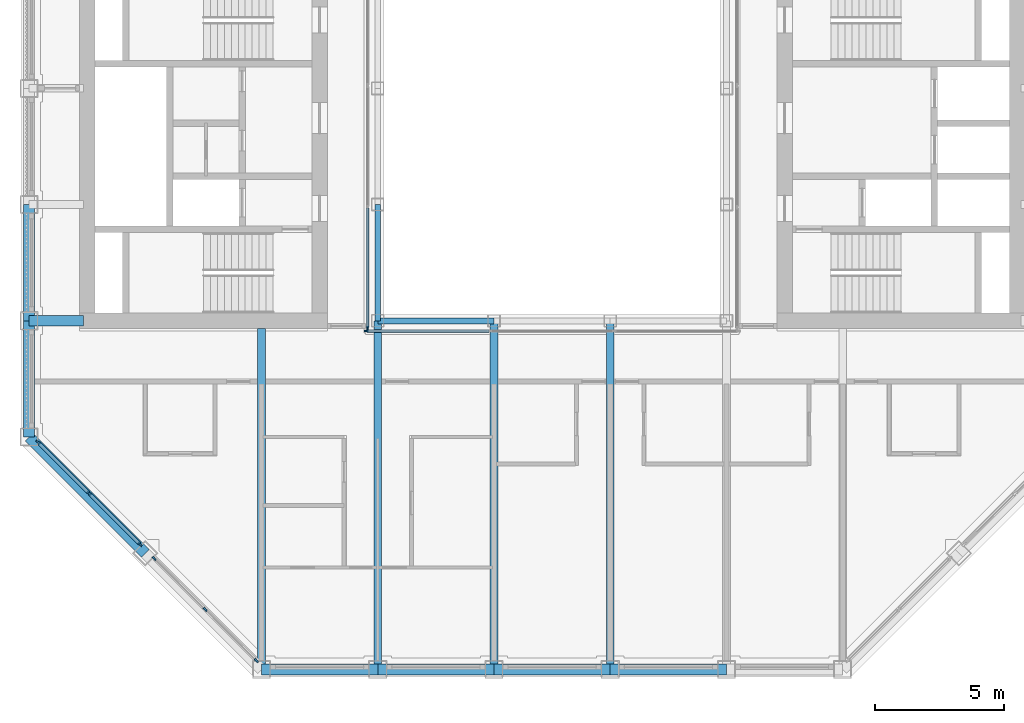
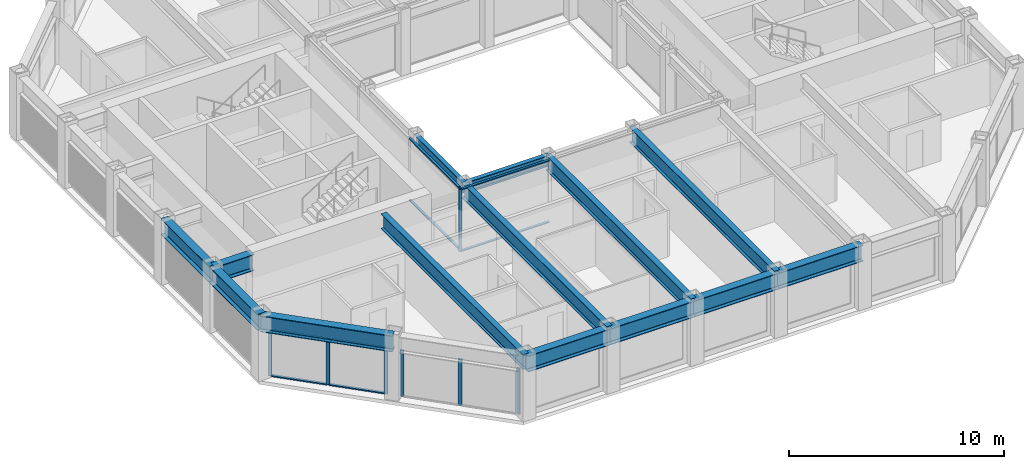
# One storey, part 2 of 18: 16 members, 14 beams, 4 elements without a shape of their own.
"""IFC4 building model written with IfcOpenShell, lengths in metres."""

from ifc_helpers import new_model, si_unit, direction, frame, origin, origin_2d, place, context, subcontext, project, spatial, rectangle, i_section, extrude, material, material_profile, profile_set, type_object, element, aggregate, save


model = new_model("IFC4")

# Units and contexts
model_context = context("Model", 3, precision=1e-05, world=origin(), true_north=direction((0.0, 1.0)))
body_context = subcontext(model_context, "Body", "Model", "MODEL_VIEW")
ifc_project = project(units=[si_unit("LENGTHUNIT", "METRE"), si_unit("AREAUNIT", "SQUARE_METRE"), si_unit("VOLUMEUNIT", "CUBIC_METRE"), si_unit("PLANEANGLEUNIT", "RADIAN"), si_unit("MASSUNIT", "GRAM", prefix="KILO")], contexts=[model_context])

# Site, building, storey
site_placement = place(None, origin())
site = spatial("IfcSite", under=ifc_project, at=site_placement, CompositionType="ELEMENT")
building_placement = place(site_placement, origin())
building = spatial("IfcBuilding", under=site, at=building_placement, Name="Msasa Ring Tower", CompositionType="ELEMENT")
storey_placement = place(building_placement, frame((0.0, 0.0, 230.800048828125)))
storey = spatial("IfcBuildingStorey", under=building, at=storey_placement, Name="L60", CompositionType="ELEMENT", Elevation=230.800048828125)

# Curtain wall, members
ifc_material_1 = material(Name="Aluminium curtain wall with clear glass", Category="aluminium")
curtain_wall_type_1 = type_object("IfcCurtainWallType", Name="CW-C CHAMFER CORNER CURTAIN WALL", PredefinedType="NOTDEFINED", material=ifc_material_1)
curtain_wall_1_placement = place(storey_placement, origin())
curtain_wall_1 = element("IfcCurtainWall", 1, at=curtain_wall_1_placement, inside=storey, type_object=curtain_wall_type_1, Name="Chamfer corner curtain wall SW L60", PredefinedType="NOTDEFINED")
ifc_material_2 = material(Name="Aluminium mullion", Category="aluminium")
ifc_material_profile_1 = material_profile(ifc_material_2, rectangle(XDim=0.06494140625, YDim=0.179931640625, at=origin_2d()), Name="AL 65x180")
ifc_profile_set_1 = profile_set([ifc_material_profile_1], Name="Aluminium mullion")
member_type_1 = type_object("IfcMemberType", Name="CW-C MULLION 65x180", PredefinedType="MULLION", material=ifc_profile_set_1)
member_1_placement = place(storey_placement, frame((-19.9052734375, -11.453369140625, 0.0), z_axis=(0.0, 0.0, 1.0), x_axis=(0.707106781187, 0.707106781187, 0.0)))
member_1 = element("IfcMember", 2, at=member_1_placement, type_object=member_type_1, Name="CW-C mullion 1", PredefinedType="MULLION", context=body_context, shape_type="SweptSolid", body=[
    extrude(rectangle(XDim=0.06494140625, YDim=0.179931640625, at=origin_2d()), origin(), (0.0, 0.0, 1.0), 2.62890625),
])
member_2_placement = place(storey_placement, frame((-17.92919921875, -13.42919921875, 0.0), z_axis=(0.0, 0.0, 1.0), x_axis=(0.707106781187, 0.707106781187, 0.0)))
member_2 = element("IfcMember", 3, at=member_2_placement, type_object=member_type_1, Name="CW-C mullion 2", PredefinedType="MULLION", context=body_context, shape_type="SweptSolid", body=[
    extrude(rectangle(XDim=0.06494140625, YDim=0.179931640625, at=origin_2d()), origin(), (0.0, 0.0, 1.0), 2.62890625),
])
member_3_placement = place(storey_placement, frame((-15.953369140625, -15.4052734375, 0.0), z_axis=(0.0, 0.0, 1.0), x_axis=(0.707106781187, 0.707106781187, 0.0)))
member_3 = element("IfcMember", 4, at=member_3_placement, type_object=member_type_1, Name="CW-C mullion 3", PredefinedType="MULLION", context=body_context, shape_type="SweptSolid", body=[
    extrude(rectangle(XDim=0.06494140625, YDim=0.179931640625, at=origin_2d()), origin(), (0.0, 0.0, 1.0), 2.62890625),
])

curtain_wall_2_placement = place(storey_placement, origin())
curtain_wall_2 = element("IfcCurtainWall", 5, at=curtain_wall_2_placement, inside=storey, type_object=curtain_wall_type_1, Name="Chamfer corner curtain wall SW L60", PredefinedType="NOTDEFINED")
member_4_placement = place(storey_placement, frame((-15.4052734375, -15.953369140625, 0.0), z_axis=(0.0, 0.0, 1.0), x_axis=(0.707106781187, 0.707106781187, 0.0)))
member_4 = element("IfcMember", 6, at=member_4_placement, type_object=member_type_1, Name="CW-C mullion 1", PredefinedType="MULLION", context=body_context, shape_type="SweptSolid", body=[
    extrude(rectangle(XDim=0.06494140625, YDim=0.179931640625, at=origin_2d()), origin(), (0.0, 0.0, 1.0), 2.62890625),
])
member_5_placement = place(storey_placement, frame((-13.42919921875, -17.92919921875, 0.0), z_axis=(0.0, 0.0, 1.0), x_axis=(0.707106781187, 0.707106781187, 0.0)))
member_5 = element("IfcMember", 7, at=member_5_placement, type_object=member_type_1, Name="CW-C mullion 2", PredefinedType="MULLION", context=body_context, shape_type="SweptSolid", body=[
    extrude(rectangle(XDim=0.06494140625, YDim=0.179931640625, at=origin_2d()), origin(), (0.0, 0.0, 1.0), 2.62890625),
])
member_6_placement = place(storey_placement, frame((-11.453369140625, -19.9052734375, 0.0), z_axis=(0.0, 0.0, 1.0), x_axis=(0.707106781187, 0.707106781187, 0.0)))
member_6 = element("IfcMember", 8, at=member_6_placement, type_object=member_type_1, Name="CW-C mullion 3", PredefinedType="MULLION", context=body_context, shape_type="SweptSolid", body=[
    extrude(rectangle(XDim=0.06494140625, YDim=0.179931640625, at=origin_2d()), origin(), (0.0, 0.0, 1.0), 2.62890625),
])
aggregate(curtain_wall_2, [member_4, member_5, member_6])

# Member
ifc_material_3 = material(Name="Aluminium transom", Category="aluminium")
ifc_material_profile_2 = material_profile(ifc_material_3, rectangle(XDim=0.139892578125, YDim=0.06494140625, at=origin_2d()), Name="AL 65x140")
ifc_profile_set_2 = profile_set([ifc_material_profile_2], Name="Aluminium transom")
member_type_2 = type_object("IfcMemberType", Name="CW-C TRANSOM 65x140", PredefinedType="USERDEFINED", material=ifc_profile_set_2)
member_7_placement = place(storey_placement, frame((-19.88232421875, -11.476318359375, 0.032470703125), z_axis=(0.707106781187, -0.707106781187, 0.0), x_axis=(0.707106781187, 0.707106781187, 0.0)))
member_7 = element("IfcMember", 9, at=member_7_placement, type_object=member_type_2, Name="CW-C transom 1.1", ObjectType="TRANSOM", PredefinedType="USERDEFINED", context=body_context, shape_type="SweptSolid", body=[
    extrude(rectangle(XDim=0.139892578125, YDim=0.06494140625, at=origin_2d()), origin(), (0.0, 0.0, 1.0), 2.729248046875),
])

member_8_placement = place(storey_placement, frame((-19.88232421875, -11.476318359375, 2.596435546875), z_axis=(0.707106781187, -0.707106781187, 0.0), x_axis=(0.707106781187, 0.707106781187, 0.0)))
member_8 = element("IfcMember", 10, at=member_8_placement, type_object=member_type_2, Name="CW-C transom 1.2", ObjectType="TRANSOM", PredefinedType="USERDEFINED", context=body_context, shape_type="SweptSolid", body=[
    extrude(rectangle(XDim=0.139892578125, YDim=0.06494140625, at=origin_2d()), origin(), (0.0, 0.0, 1.0), 2.729248046875),
])

member_9_placement = place(storey_placement, frame((-17.90625, -13.452392578125, 0.032470703125), z_axis=(0.707106781187, -0.707106781187, 0.0), x_axis=(0.707106781187, 0.707106781187, 0.0)))
member_9 = element("IfcMember", 11, at=member_9_placement, type_object=member_type_2, Name="CW-C transom 2.1", ObjectType="TRANSOM", PredefinedType="USERDEFINED", context=body_context, shape_type="SweptSolid", body=[
    extrude(rectangle(XDim=0.139892578125, YDim=0.06494140625, at=origin_2d()), origin(), (0.0, 0.0, 1.0), 2.729248046875),
])

member_10_placement = place(storey_placement, frame((-17.90625, -13.452392578125, 2.596435546875), z_axis=(0.707106781187, -0.707106781187, 0.0), x_axis=(0.707106781187, 0.707106781187, 0.0)))
member_10 = element("IfcMember", 12, at=member_10_placement, type_object=member_type_2, Name="CW-C transom 2.2", ObjectType="TRANSOM", PredefinedType="USERDEFINED", context=body_context, shape_type="SweptSolid", body=[
    extrude(rectangle(XDim=0.139892578125, YDim=0.06494140625, at=origin_2d()), origin(), (0.0, 0.0, 1.0), 2.729248046875),
])

aggregate(curtain_wall_1, [member_1, member_2, member_3, member_7, member_8, member_9, member_10])

# Curtain wall, member
ifc_material_4 = material(Name="Aluminium curtain wall with clear glass", Category="aluminium")
curtain_wall_type_2 = type_object("IfcCurtainWallType", Name="CW-W LIGHT WELL CURTAIN WALL", PredefinedType="NOTDEFINED", material=ifc_material_4)
curtain_wall_3_placement = place(storey_placement, origin())
curtain_wall_3 = element("IfcCurtainWall", 13, at=curtain_wall_3_placement, inside=storey, type_object=curtain_wall_type_2, Name="Light well curtain wall S L60", PredefinedType="NOTDEFINED")
ifc_material_5 = material(Name="Aluminium mullion", Category="aluminium")
ifc_material_profile_3 = material_profile(ifc_material_5, rectangle(XDim=0.06005859375, YDim=0.159912109375, at=origin_2d()), Name="AL 60x160")
ifc_profile_set_3 = profile_set([ifc_material_profile_3], Name="Aluminium mullion")
member_type_3 = type_object("IfcMemberType", Name="CW-W MULLION 60x160", PredefinedType="MULLION", material=ifc_profile_set_3)
member_11_placement = place(storey_placement, frame((-7.199951171875, -7.14990234375, 0.0), z_axis=(0.0, 0.0, 1.0), x_axis=(0.0, 1.0, 0.0)))
member_11 = element("IfcMember", 14, at=member_11_placement, type_object=member_type_3, Name="CW-W mullion 1", PredefinedType="MULLION", context=body_context, shape_type="SweptSolid", body=[
    extrude(rectangle(XDim=0.06005859375, YDim=0.159912109375, at=origin_2d()), origin(), (0.0, 0.0, 1.0), 3.550048828125),
])

curtain_wall_4_placement = place(storey_placement, origin())
curtain_wall_4 = element("IfcCurtainWall", 15, at=curtain_wall_4_placement, inside=storey, type_object=curtain_wall_type_2, Name="Light well curtain wall W L60", PredefinedType="NOTDEFINED")
member_12_placement = place(storey_placement, frame((-7.14990234375, -7.0400390625, 0.0), z_axis=(0.0, 0.0, 1.0), x_axis=(-1.0, 0.0, 0.0)))
member_12 = element("IfcMember", 16, at=member_12_placement, type_object=member_type_3, Name="CW-W mullion 1", PredefinedType="MULLION", context=body_context, shape_type="SweptSolid", body=[
    extrude(rectangle(XDim=0.06005859375, YDim=0.159912109375, at=origin_2d()), origin(), (0.0, 0.0, 1.0), 3.550048828125),
])

# Member
ifc_material_6 = material(Name="Aluminium transom", Category="aluminium")
ifc_material_profile_4 = material_profile(ifc_material_6, rectangle(XDim=0.1201171875, YDim=0.06005859375, at=origin_2d()), Name="AL 60x120")
ifc_profile_set_4 = profile_set([ifc_material_profile_4], Name="Aluminium transom")
member_type_4 = type_object("IfcMemberType", Name="CW-W TRANSOM 60x120", PredefinedType="USERDEFINED", material=ifc_profile_set_4)
member_13_placement = place(storey_placement, frame((-7.169921875, -7.14990234375, 0.030029296875), z_axis=(1.0, 0.0, 0.0), x_axis=(0.0, 1.0, 0.0)))
member_13 = element("IfcMember", 17, at=member_13_placement, type_object=member_type_4, Name="CW-W transom 1.1", ObjectType="TRANSOM", PredefinedType="USERDEFINED", context=body_context, shape_type="SweptSolid", body=[
    extrude(rectangle(XDim=0.1201171875, YDim=0.06005859375, at=origin_2d()), origin(), (0.0, 0.0, 1.0), 4.72998046875),
])

member_14_placement = place(storey_placement, frame((-7.169921875, -7.14990234375, 3.52001953125), z_axis=(1.0, 0.0, 0.0), x_axis=(0.0, 1.0, 0.0)))
member_14 = element("IfcMember", 18, at=member_14_placement, type_object=member_type_4, Name="CW-W transom 1.2", ObjectType="TRANSOM", PredefinedType="USERDEFINED", context=body_context, shape_type="SweptSolid", body=[
    extrude(rectangle(XDim=0.1201171875, YDim=0.06005859375, at=origin_2d()), origin(), (0.0, 0.0, 1.0), 4.72998046875),
])

aggregate(curtain_wall_3, [member_11, member_13, member_14])

member_15_placement = place(storey_placement, frame((-7.14990234375, -7.010009765625, 0.030029296875), z_axis=(0.0, 1.0, 0.0), x_axis=(-1.0, 0.0, 0.0)))
member_15 = element("IfcMember", 19, at=member_15_placement, type_object=member_type_4, Name="CW-W transom 1.1", ObjectType="TRANSOM", PredefinedType="USERDEFINED", context=body_context, shape_type="SweptSolid", body=[
    extrude(rectangle(XDim=0.1201171875, YDim=0.06005859375, at=origin_2d()), origin(), (0.0, 0.0, 1.0), 4.623291015625),
])

member_16_placement = place(storey_placement, frame((-7.14990234375, -7.010009765625, 3.52001953125), z_axis=(0.0, 1.0, 0.0), x_axis=(-1.0, 0.0, 0.0)))
member_16 = element("IfcMember", 20, at=member_16_placement, type_object=member_type_4, Name="CW-W transom 1.2", ObjectType="TRANSOM", PredefinedType="USERDEFINED", context=body_context, shape_type="SweptSolid", body=[
    extrude(rectangle(XDim=0.1201171875, YDim=0.06005859375, at=origin_2d()), origin(), (0.0, 0.0, 1.0), 4.623291015625),
])

aggregate(curtain_wall_4, [member_12, member_15, member_16])

# Beams
ifc_material_7 = material(Name="Steel S355", Category="steel")
ifc_material_profile_5 = material_profile(ifc_material_7, i_section(OverallWidth=0.293701171875, OverallDepth=0.850830078125, WebThickness=0.01611328125, FlangeThickness=0.02685546875, FilletRadius=0.017822265625, at=origin_2d()), Name="UB 838x292x226")
ifc_profile_set_5 = profile_set([ifc_material_profile_5], Name="Steel S355")
beam_type_1 = type_object("IfcBeamType", Name="FB5 UB 838x292x226", PredefinedType="BEAM", material=ifc_profile_set_5)
beam_1_placement = place(storey_placement, frame((-11.25, -20.25, 3.12451171875), z_axis=(0.0, 1.0, 0.0), x_axis=(-1.0, 0.0, 0.0)))
element("IfcBeam", 21, at=beam_1_placement, inside=storey, type_object=beam_type_1, Name="Floor beam S-11.25 under L61", PredefinedType="BEAM", context=body_context, shape_type="SweptSolid", body=[
    extrude(i_section(OverallWidth=0.293701171875, OverallDepth=0.850830078125, WebThickness=0.01611328125, FlangeThickness=0.02685546875, FilletRadius=0.017822265625, at=origin_2d()), origin(), (0.0, 0.0, 1.0), 13.199951171875),
])
for number, where, z_axis, x_axis, name in (
    (22, (-6.75, -20.25, 3.12451171875), (0.0, 1.0, 0.0), (-1.0, 0.0, 0.0), "Floor beam S-6.75 under L61"),
    (23, (-2.25, -20.25, 3.12451171875), (0.0, 1.0, 0.0), (-1.0, 0.0, 0.0), "Floor beam S-2.25 under L61"),
    (24, (2.25, -20.25, 3.12451171875), (0.0, 1.0, 0.0), (-1.0, 0.0, 0.0), "Floor beam S+2.25 under L61"),
):
    element("IfcBeam", number, at=place(storey_placement, frame(where, z_axis=z_axis, x_axis=x_axis)), inside=storey, type_object=beam_type_1, Name=name, PredefinedType="BEAM", context=body_context, shape_type="SweptSolid", body=[
        extrude(i_section(OverallWidth=0.293701171875, OverallDepth=0.850830078125, WebThickness=0.01611328125, FlangeThickness=0.02685546875, FilletRadius=0.017822265625, at=origin_2d()), origin(), (0.0, 0.0, 1.0), 13.5),
    ])
ifc_material_8 = material(Name="Steel S355", Category="steel")
ifc_material_profile_6 = material_profile(ifc_material_8, i_section(OverallWidth=0.42041015625, OverallDepth=0.9208984375, WebThickness=0.021484375, FlangeThickness=0.03662109375, FilletRadius=0.024169921875, at=origin_2d()), Name="UB 914x419x388")
ifc_profile_set_6 = profile_set([ifc_material_profile_6], Name="Steel S355")
beam_type_2 = type_object("IfcBeamType", Name="GB1 UB 914x419x388", PredefinedType="BEAM", material=ifc_profile_set_6)
beam_2_placement = place(storey_placement, frame((-18.14990234375, -6.75, 3.08935546875), z_axis=(-1.0, 0.0, 0.0), x_axis=(0.0, -1.0, 0.0)))
element("IfcBeam", 25, at=beam_2_placement, inside=storey, type_object=beam_type_2, Name="Girder W -6.75 under L61", PredefinedType="BEAM", context=body_context, shape_type="SweptSolid", body=[
    extrude(i_section(OverallWidth=0.42041015625, OverallDepth=0.9208984375, WebThickness=0.021484375, FlangeThickness=0.03662109375, FilletRadius=0.024169921875, at=origin_2d()), origin(), (0.0, 0.0, 1.0), 2.10009765625),
])
ifc_material_9 = material(Name="Steel S355", Category="steel")
ifc_material_profile_7 = material_profile(ifc_material_9, i_section(OverallWidth=0.230224609375, OverallDepth=0.6171875, WebThickness=0.01318359375, FlangeThickness=0.022216796875, FilletRadius=0.0126953125, at=origin_2d()), Name="UB 610x229x140")
ifc_profile_set_7 = profile_set([ifc_material_profile_7], Name="Steel S355")
beam_type_3 = type_object("IfcBeamType", Name="RB1 UB 610x229x140", PredefinedType="BEAM", material=ifc_profile_set_7)
for number, where, z_axis, x_axis, name in (
    (26, (-6.75, -2.25, 3.241455078125), (0.0, -1.0, 0.0), (1.0, 0.0, 0.0), "Inner ring beam IR-6.75-2.25 under L61"),
    (27, (-6.75, -6.75, 3.241455078125), (1.0, 0.0, 0.0), (0.0, 1.0, 0.0), "Inner ring beam IR-6.75-6.75 under L61"),
):
    element("IfcBeam", number, at=place(storey_placement, frame(where, z_axis=z_axis, x_axis=x_axis)), inside=storey, type_object=beam_type_3, Name=name, PredefinedType="BEAM", context=body_context, shape_type="SweptSolid", body=[
        extrude(i_section(OverallWidth=0.230224609375, OverallDepth=0.6171875, WebThickness=0.01318359375, FlangeThickness=0.022216796875, FilletRadius=0.0126953125, at=origin_2d()), origin(), (0.0, 0.0, 1.0), 4.5),
    ])
ifc_material_10 = material(Name="Steel S355", Category="steel")
ifc_material_profile_8 = material_profile(ifc_material_10, i_section(OverallWidth=0.42041015625, OverallDepth=0.9208984375, WebThickness=0.021484375, FlangeThickness=0.03662109375, FilletRadius=0.024169921875, at=origin_2d()), Name="UB 914x419x388")
ifc_profile_set_8 = profile_set([ifc_material_profile_8], Name="Steel S355")
beam_type_4 = type_object("IfcBeamType", Name="SB1 UB 914x419x388", PredefinedType="SPANDREL", material=ifc_profile_set_8)
for number, where, z_axis, x_axis, name in (
    (28, (-20.25, -2.25, 3.08935546875), (0.0, -1.0, 0.0), (1.0, 0.0, 0.0), "Spandrel W-2.25 to W-6.75 under L61"),
    (29, (-20.25, -6.75, 3.08935546875), (0.0, -1.0, 0.0), (1.0, 0.0, 0.0), "Spandrel W-6.75 to W-11.25 under L61"),
):
    element("IfcBeam", number, at=place(storey_placement, frame(where, z_axis=z_axis, x_axis=x_axis)), inside=storey, type_object=beam_type_4, Name=name, PredefinedType="SPANDREL", context=body_context, shape_type="SweptSolid", body=[
        extrude(i_section(OverallWidth=0.42041015625, OverallDepth=0.9208984375, WebThickness=0.021484375, FlangeThickness=0.03662109375, FilletRadius=0.024169921875, at=origin_2d()), origin(), (0.0, 0.0, 1.0), 4.5),
    ])
beam_3_placement = place(storey_placement, frame((-20.25, -11.25, 3.08935546875), z_axis=(0.707106781187, -0.707106781187, 0.0), x_axis=(0.707106781187, 0.707106781187, 0.0)))
element("IfcBeam", 30, at=beam_3_placement, inside=storey, type_object=beam_type_4, Name="Spandrel W-11.25 to SW under L61", PredefinedType="SPANDREL", context=body_context, shape_type="SweptSolid", body=[
    extrude(i_section(OverallWidth=0.42041015625, OverallDepth=0.9208984375, WebThickness=0.021484375, FlangeThickness=0.03662109375, FilletRadius=0.024169921875, at=origin_2d()), origin(), (0.0, 0.0, 1.0), 6.364013671875),
])
for number, where, z_axis, x_axis, name in (
    (31, (-11.25, -20.25, 3.08935546875), (1.0, 0.0, 0.0), (0.0, 1.0, 0.0), "Spandrel S-11.25 to S-6.75 under L61"),
    (32, (-6.75, -20.25, 3.08935546875), (1.0, 0.0, 0.0), (0.0, 1.0, 0.0), "Spandrel S-6.75 to S-2.25 under L61"),
    (33, (-2.25, -20.25, 3.08935546875), (1.0, 0.0, 0.0), (0.0, 1.0, 0.0), "Spandrel S-2.25 to S+2.25 under L61"),
    (34, (2.25, -20.25, 3.08935546875), (1.0, 0.0, 0.0), (0.0, 1.0, 0.0), "Spandrel S+2.25 to S+6.75 under L61"),
):
    element("IfcBeam", number, at=place(storey_placement, frame(where, z_axis=z_axis, x_axis=x_axis)), inside=storey, type_object=beam_type_4, Name=name, PredefinedType="SPANDREL", context=body_context, shape_type="SweptSolid", body=[
        extrude(i_section(OverallWidth=0.42041015625, OverallDepth=0.9208984375, WebThickness=0.021484375, FlangeThickness=0.03662109375, FilletRadius=0.024169921875, at=origin_2d()), origin(), (0.0, 0.0, 1.0), 4.5),
    ])

save(model, "model.ifc")
